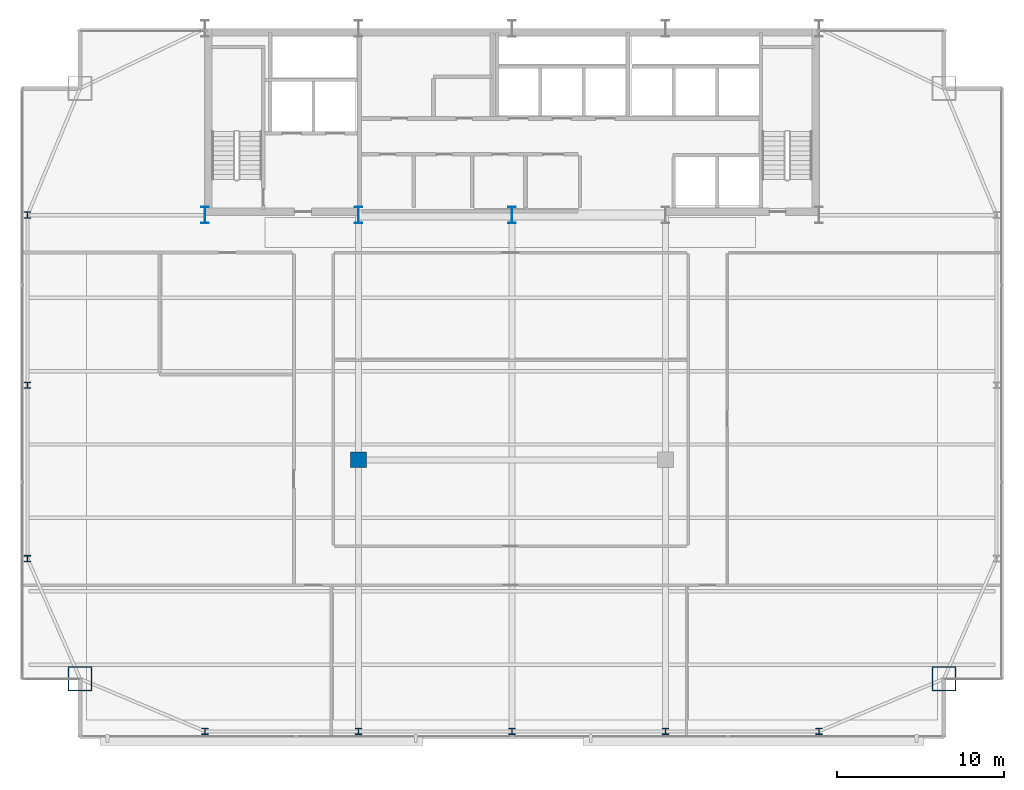
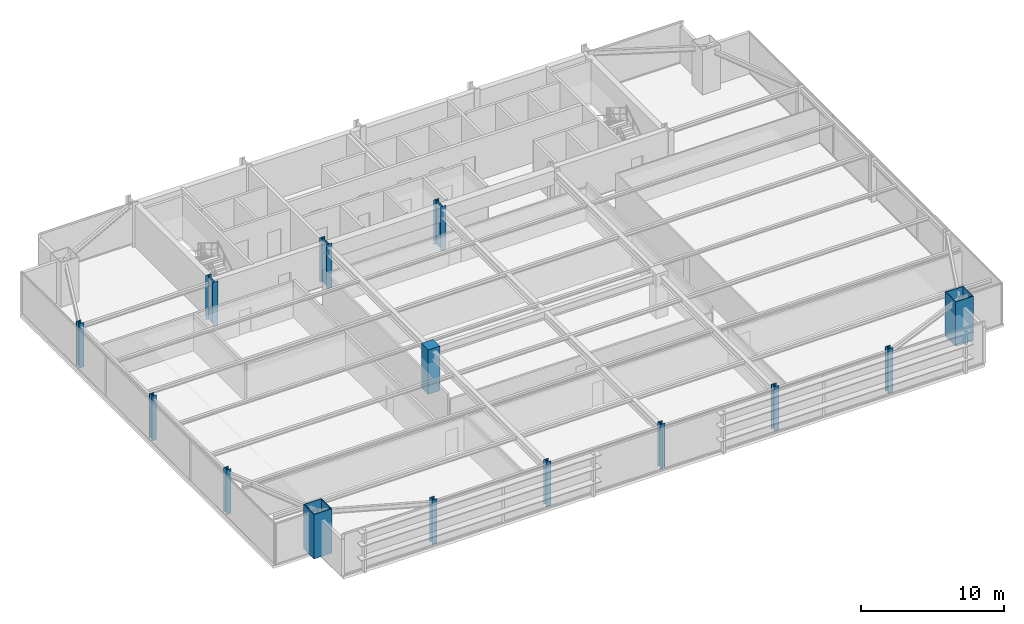
# One storey, part 1 of 30: 14 columns.
"""IFC4 building model written with IfcOpenShell, lengths in metres."""

from ifc_helpers import new_model, si_unit, direction, frame, origin, origin_2d, place, context, subcontext, project, spatial, rectangle, hollow_rectangle, i_section, extrude, source, transform, mapped, material, material_profile, profile_set, type_object, type_shapes, element, save


model = new_model("IFC4")

# Units and contexts
model_context = context("Model", 3, precision=1e-05, world=origin(), true_north=direction((0.0, 1.0)))
body_context = subcontext(model_context, "Body", "Model", "MODEL_VIEW")
ifc_project = project(units=[si_unit("LENGTHUNIT", "METRE"), si_unit("AREAUNIT", "SQUARE_METRE"), si_unit("VOLUMEUNIT", "CUBIC_METRE"), si_unit("PLANEANGLEUNIT", "RADIAN"), si_unit("MASSUNIT", "GRAM", prefix="KILO")], contexts=[model_context])

# Site, building, storey
site_placement = place(None, origin())
site = spatial("IfcSite", under=ifc_project, at=site_placement, CompositionType="ELEMENT")
building_placement = place(site_placement, origin())
building = spatial("IfcBuilding", under=site, at=building_placement, Name="Varnel Quay Broadcast Tower", CompositionType="ELEMENT")
storey_placement = place(building_placement, frame((0.0, 0.0, 122.0)))
storey = spatial("IfcBuildingStorey", under=building, at=storey_placement, Name="L29", CompositionType="ELEMENT", Elevation=122.0)

# Columns
ifc_material_1 = material(Name="Structural Steel CSA G40.21 350WT", Category="steel")
ifc_material_profile_1 = material_profile(ifc_material_1, i_section(OverallWidth=0.449951171875, OverallDepth=1.0, WebThickness=0.01611328125, FlangeThickness=0.030029296875, FilletRadius=0.01611328125, at=origin_2d()), Name="WWF1000X362")
ifc_profile_set_1 = profile_set([ifc_material_profile_1], Name="Structural Steel CSA G40.21 350WT")
column_type_1 = type_object("IfcColumnType", Name="Col_WWF1000X362", PredefinedType="COLUMN", material=ifc_profile_set_1)
shared_shape_1 = source(origin(), body_context, "Body", "SweptSolid", [
    extrude(i_section(OverallWidth=0.449951171875, OverallDepth=1.0, WebThickness=0.01611328125, FlangeThickness=0.030029296875, FilletRadius=0.01611328125, at=origin_2d()), origin(), (0.0, 0.0, 1.0), 3.800048828125),
])
type_shapes(column_type_1, [shared_shape_1])
for number, where, z_axis, x_axis, name in (
    (1, (15.60009765625, 35.60009765625, 0.0), (0.0, 0.0, 1.0), (1.0, 0.0, 0.0), "L29 Column CC-S1"),
    (2, (24.800048828125, 35.60009765625, 0.0), (0.0, 0.0, 1.0), (1.0, 0.0, 0.0), "L29 Column CC-S2"),
    (3, (34.0, 35.60009765625, 0.0), (0.0, 0.0, 1.0), (1.0, 0.0, 0.0), "L29 Column CC-S3"),
):
    element("IfcColumn", number, at=place(storey_placement, frame(where, z_axis=z_axis, x_axis=x_axis)), inside=storey, type_object=column_type_1, Name=name, PredefinedType="COLUMN", context=body_context, shape_type="MappedRepresentation", body=[
        mapped(shared_shape_1, transform((0.0, 0.0, 0.0), x_axis=(1.0, 0.0, 0.0), y_axis=(0.0, 1.0, 0.0), z_axis=(0.0, 0.0, 1.0), scale=1.0)),
    ])
ifc_material_profile_2 = material_profile(ifc_material_1, hollow_rectangle(XDim=1.449951171875, YDim=1.449951171875, WallThickness=0.054931640625, at=origin_2d()), Name="BOX1450X1450X55")
ifc_profile_set_2 = profile_set([ifc_material_profile_2], Name="Structural Steel CSA G40.21 350WT")
column_type_2 = type_object("IfcColumnType", Name="Col_BOX1450X1450X55", PredefinedType="COLUMN", material=ifc_profile_set_2)
shared_shape_2 = source(origin(), body_context, "Body", "SweptSolid", [
    extrude(hollow_rectangle(XDim=1.449951171875, YDim=1.449951171875, WallThickness=0.054931640625, at=origin_2d()), origin(), (0.0, 0.0, 1.0), 3.800048828125),
])
type_shapes(column_type_2, [shared_shape_2])
for number, where, z_axis, x_axis, name in (
    (4, (8.10009765625, 7.800048828125, 0.0), (0.0, 0.0, 1.0), (1.0, 0.0, 0.0), "L29 Column MC-SW"),
    (5, (59.89990234375, 7.800048828125, 0.0), (0.0, 0.0, 1.0), (1.0, 0.0, 0.0), "L29 Column MC-SE"),
):
    element("IfcColumn", number, at=place(storey_placement, frame(where, z_axis=z_axis, x_axis=x_axis)), inside=storey, type_object=column_type_2, Name=name, PredefinedType="COLUMN", context=body_context, shape_type="MappedRepresentation", body=[
        mapped(shared_shape_2, transform((0.0, 0.0, 0.0), x_axis=(1.0, 0.0, 0.0), y_axis=(0.0, 1.0, 0.0), z_axis=(0.0, 0.0, 1.0), scale=1.0)),
    ])
ifc_material_2 = material(Name="Structural Steel CSA G40.21 350W", Category="steel")
ifc_material_profile_3 = material_profile(ifc_material_2, i_section(OverallWidth=0.39794921875, OverallDepth=0.386962890625, WebThickness=0.02099609375, FlangeThickness=0.033203125, FilletRadius=0.01806640625, at=origin_2d()), Name="W360X262")
ifc_profile_set_3 = profile_set([ifc_material_profile_3], Name="Structural Steel CSA G40.21 350W")
column_type_3 = type_object("IfcColumnType", Name="Col_W360X262", PredefinedType="COLUMN", material=ifc_profile_set_3)
shared_shape_3 = source(origin(), body_context, "Body", "SweptSolid", [
    extrude(i_section(OverallWidth=0.39794921875, OverallDepth=0.386962890625, WebThickness=0.02099609375, FlangeThickness=0.033203125, FilletRadius=0.01806640625, at=origin_2d()), origin(), (0.0, 0.0, 1.0), 3.800048828125),
])
type_shapes(column_type_3, [shared_shape_3])
for number, where, z_axis, x_axis, name in (
    (6, (15.60009765625, 4.64990234375, 0.0), (0.0, 0.0, 1.0), (1.0, 0.0, 0.0), "L29 Column TC-S1"),
    (7, (24.800048828125, 4.64990234375, 0.0), (0.0, 0.0, 1.0), (1.0, 0.0, 0.0), "L29 Column TC-S2"),
    (8, (34.0, 4.64990234375, 0.0), (0.0, 0.0, 1.0), (1.0, 0.0, 0.0), "L29 Column TC-S3"),
    (9, (43.199951171875, 4.64990234375, 0.0), (0.0, 0.0, 1.0), (1.0, 0.0, 0.0), "L29 Column TC-S4"),
    (10, (52.39990234375, 4.64990234375, 0.0), (0.0, 0.0, 1.0), (1.0, 0.0, 0.0), "L29 Column TC-S5"),
    (11, (4.949951171875, 15.0, 0.0), (0.0, 0.0, 1.0), (1.0, 0.0, 0.0), "L29 Column TC-W1"),
    (12, (4.949951171875, 25.39990234375, 0.0), (0.0, 0.0, 1.0), (1.0, 0.0, 0.0), "L29 Column TC-W2"),
    (13, (4.949951171875, 35.60009765625, 0.0), (0.0, 0.0, 1.0), (1.0, 0.0, 0.0), "L29 Column TC-W3"),
):
    element("IfcColumn", number, at=place(storey_placement, frame(where, z_axis=z_axis, x_axis=x_axis)), inside=storey, type_object=column_type_3, Name=name, PredefinedType="COLUMN", context=body_context, shape_type="MappedRepresentation", body=[
        mapped(shared_shape_3, transform((0.0, 0.0, 0.0), x_axis=(1.0, 0.0, 0.0), y_axis=(0.0, 1.0, 0.0), z_axis=(0.0, 0.0, 1.0), scale=1.0)),
    ])
ifc_material_3 = material(Name="Concrete CSA A23.3 C50/60", Category="concrete")
ifc_material_profile_4 = material_profile(ifc_material_3, rectangle(XDim=0.949951171875, YDim=0.949951171875, at=origin_2d()), Name="RC950X950")
ifc_profile_set_4 = profile_set([ifc_material_profile_4], Name="Concrete CSA A23.3 C50/60")
column_type_4 = type_object("IfcColumnType", Name="Col_RC950X950", PredefinedType="COLUMN", material=ifc_profile_set_4)
shared_shape_4 = source(origin(), body_context, "Body", "SweptSolid", [
    extrude(rectangle(XDim=0.949951171875, YDim=0.949951171875, at=origin_2d()), origin(), (0.0, 0.0, 1.0), 3.800048828125),
])
type_shapes(column_type_4, [shared_shape_4])
column_placement = place(storey_placement, frame((24.800048828125, 20.929931640625, 0.0), z_axis=(0.0, 0.0, 1.0), x_axis=(1.0, 0.0, 0.0)))
element("IfcColumn", 14, at=column_placement, inside=storey, type_object=column_type_4, Name="L29 Column IC-01", PredefinedType="COLUMN", context=body_context, shape_type="MappedRepresentation", body=[
    mapped(shared_shape_4, transform((0.0, 0.0, 0.0), x_axis=(1.0, 0.0, 0.0), y_axis=(0.0, 1.0, 0.0), z_axis=(0.0, 0.0, 1.0), scale=1.0)),
])

save(model, "model.ifc")
